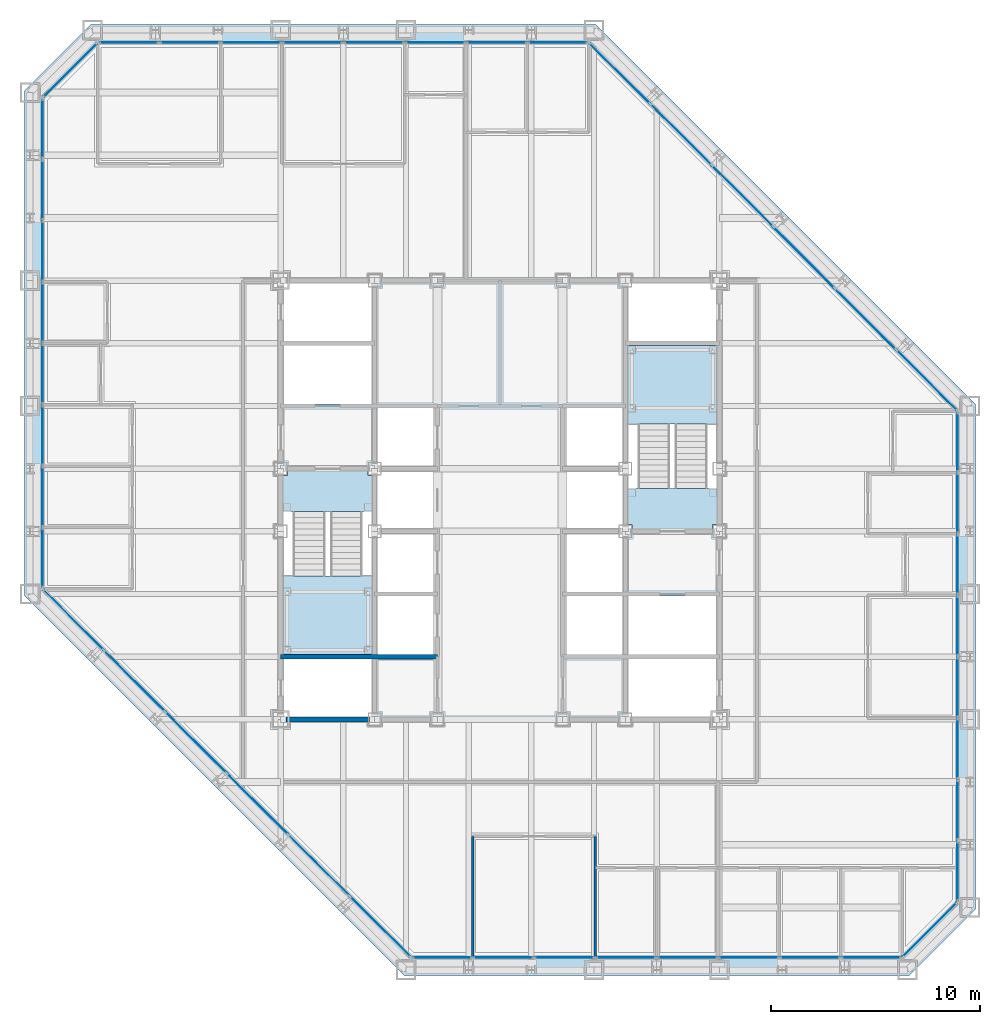
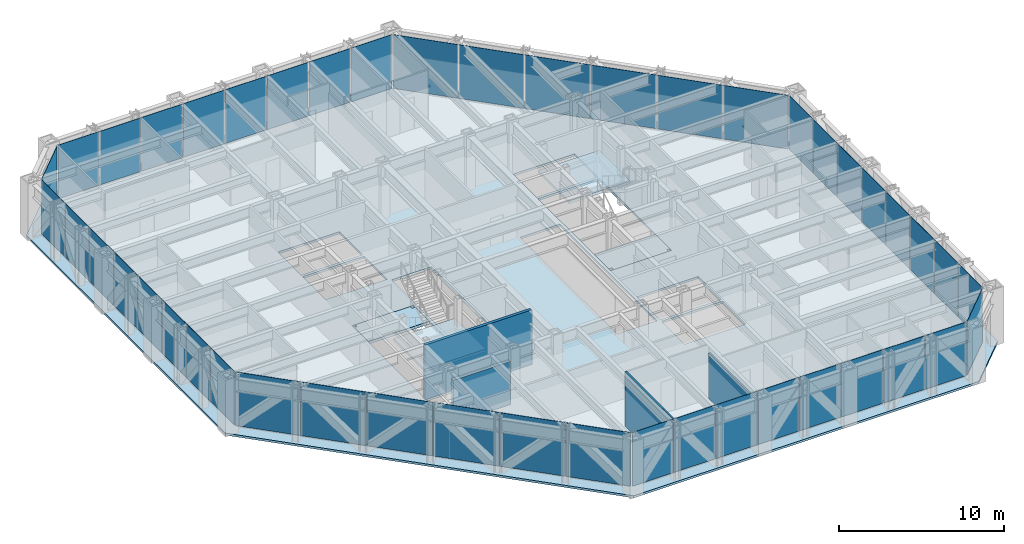
# One storey, part 9 of 16: 46 plates, 5 slabs, 4 walls, 10 elements without a shape of their own.
"""IFC4 building model written with IfcOpenShell, lengths in metres."""

from ifc_helpers import new_model, si_unit, direction, frame, frame_2d, origin, origin_2d, place, context, subcontext, project, spatial, polyline, rectangle, outline, extrude, material, layer, layer_set, type_object, element, aggregate, save


model = new_model("IFC4")

# Units and contexts
model_context = context("Model", 3, precision=1e-05, world=origin(), true_north=direction((0.0, 1.0)))
body_context = subcontext(model_context, "Body", "Model", "MODEL_VIEW")
ifc_project = project(units=[si_unit("LENGTHUNIT", "METRE"), si_unit("AREAUNIT", "SQUARE_METRE"), si_unit("VOLUMEUNIT", "CUBIC_METRE"), si_unit("PLANEANGLEUNIT", "RADIAN"), si_unit("MASSUNIT", "GRAM", prefix="KILO")], contexts=[model_context])

# Site, building, storey
site_placement = place(None, origin())
site = spatial("IfcSite", under=ifc_project, at=site_placement, CompositionType="ELEMENT")
building_placement = place(site_placement, origin())
building = spatial("IfcBuilding", under=site, at=building_placement, Name="Chuquiago Exchange Tower", CompositionType="ELEMENT")
storey_placement = place(building_placement, frame((0.0, 0.0, 161.39990234375)))
storey = spatial("IfcBuildingStorey", under=building, at=storey_placement, Name="L35", CompositionType="ELEMENT", Elevation=161.39990234375)

# Curtain wall, plates
ifc_material_1 = material(Name="Aluminium curtain wall system", Category="aluminium")
ifc_layer_1 = layer(ifc_material_1, 0.22509765625)
ifc_layer_set_1 = layer_set([ifc_layer_1], Name="CW2 office curtain wall")
curtain_wall_type_1 = type_object("IfcCurtainWallType", Name="CW2 office curtain wall", PredefinedType="NOTDEFINED", material=ifc_layer_set_1)
curtain_wall_1_placement = place(storey_placement, origin())
curtain_wall_1 = element("IfcCurtainWall", 1, at=curtain_wall_1_placement, inside=storey, type_object=curtain_wall_type_1, Name="CW2 curtain wall L35", PredefinedType="NOTDEFINED")
ifc_material_2 = material(Name="Glass, insulating unit", Category="glass")
ifc_layer_2 = layer(ifc_material_2, 0.030029296875)
ifc_layer_set_2 = layer_set([ifc_layer_2], Name="CW2-P panel 30")
plate_type_1 = type_object("IfcPlateType", Name="CW2-P panel 30", PredefinedType="CURTAIN_PANEL", material=ifc_layer_set_2)
plate_1_placement = place(storey_placement, frame((25.59326171875, 0.60009765625, 0.06494140625), z_axis=(0.0, 0.0, 1.0), x_axis=(1.0, 0.0, 0.0)))
plate_1 = element("IfcPlate", 2, at=plate_1_placement, type_object=plate_type_1, Name="CW2 panel 3.1", PredefinedType="CURTAIN_PANEL", context=body_context, shape_type="SweptSolid", body=[
    extrude(rectangle(XDim=2.872802734375, YDim=0.030029296875, at=origin_2d()), origin(), (0.0, 0.0, 1.0), 3.97509765625),
])
plate_2_placement = place(storey_placement, frame((34.40673828125, 0.60009765625, 0.06494140625), z_axis=(0.0, 0.0, 1.0), x_axis=(1.0, 0.0, 0.0)))
plate_2 = element("IfcPlate", 3, at=plate_2_placement, type_object=plate_type_1, Name="CW2 panel 6.1", PredefinedType="CURTAIN_PANEL", context=body_context, shape_type="SweptSolid", body=[
    extrude(rectangle(XDim=2.872802734375, YDim=0.030029296875, at=origin_2d()), origin(), (0.0, 0.0, 1.0), 3.97509765625),
])

curtain_wall_2_placement = place(storey_placement, origin())
curtain_wall_2 = element("IfcCurtainWall", 4, at=curtain_wall_2_placement, inside=storey, type_object=curtain_wall_type_1, Name="CW2 curtain wall L35", PredefinedType="NOTDEFINED")
plate_3_placement = place(storey_placement, frame((44.39990234375, 10.59326171875, 0.06494140625), z_axis=(0.0, 0.0, 1.0), x_axis=(0.0, 1.0, 0.0)))
plate_3 = element("IfcPlate", 5, at=plate_3_placement, type_object=plate_type_1, Name="CW2 panel 3.1", PredefinedType="CURTAIN_PANEL", context=body_context, shape_type="SweptSolid", body=[
    extrude(rectangle(XDim=2.872802734375, YDim=0.030029296875, at=origin_2d()), origin(), (0.0, 0.0, 1.0), 3.97509765625),
])
plate_4_placement = place(storey_placement, frame((44.39990234375, 19.40673828125, 0.06494140625), z_axis=(0.0, 0.0, 1.0), x_axis=(0.0, 1.0, 0.0)))
plate_4 = element("IfcPlate", 6, at=plate_4_placement, type_object=plate_type_1, Name="CW2 panel 6.1", PredefinedType="CURTAIN_PANEL", context=body_context, shape_type="SweptSolid", body=[
    extrude(rectangle(XDim=2.872802734375, YDim=0.030029296875, at=origin_2d()), origin(), (0.0, 0.0, 1.0), 3.97509765625),
])

curtain_wall_3_placement = place(storey_placement, origin())
curtain_wall_3 = element("IfcCurtainWall", 7, at=curtain_wall_3_placement, inside=storey, type_object=curtain_wall_type_1, Name="CW2 curtain wall L35", PredefinedType="NOTDEFINED")
plate_5_placement = place(storey_placement, frame((19.40673828125, 44.39990234375, 0.06494140625), z_axis=(0.0, 0.0, 1.0), x_axis=(-1.0, 0.0, 0.0)))
plate_5 = element("IfcPlate", 8, at=plate_5_placement, type_object=plate_type_1, Name="CW2 panel 3.1", PredefinedType="CURTAIN_PANEL", context=body_context, shape_type="SweptSolid", body=[
    extrude(rectangle(XDim=2.872802734375, YDim=0.030029296875, at=origin_2d()), origin(), (0.0, 0.0, 1.0), 3.97509765625),
])
plate_6_placement = place(storey_placement, frame((10.59326171875, 44.39990234375, 0.06494140625), z_axis=(0.0, 0.0, 1.0), x_axis=(-1.0, 0.0, 0.0)))
plate_6 = element("IfcPlate", 9, at=plate_6_placement, type_object=plate_type_1, Name="CW2 panel 6.1", PredefinedType="CURTAIN_PANEL", context=body_context, shape_type="SweptSolid", body=[
    extrude(rectangle(XDim=2.872802734375, YDim=0.030029296875, at=origin_2d()), origin(), (0.0, 0.0, 1.0), 3.97509765625),
])

curtain_wall_4_placement = place(storey_placement, origin())
curtain_wall_4 = element("IfcCurtainWall", 10, at=curtain_wall_4_placement, inside=storey, type_object=curtain_wall_type_1, Name="CW2 curtain wall L35", PredefinedType="NOTDEFINED")
plate_7_placement = place(storey_placement, frame((0.60009765625, 34.40673828125, 0.06494140625), z_axis=(0.0, 0.0, 1.0), x_axis=(0.0, -1.0, 0.0)))
plate_7 = element("IfcPlate", 11, at=plate_7_placement, type_object=plate_type_1, Name="CW2 panel 3.1", PredefinedType="CURTAIN_PANEL", context=body_context, shape_type="SweptSolid", body=[
    extrude(rectangle(XDim=2.872802734375, YDim=0.030029296875, at=origin_2d()), origin(), (0.0, 0.0, 1.0), 3.97509765625),
])
plate_8_placement = place(storey_placement, frame((0.60009765625, 25.59326171875, 0.06494140625), z_axis=(0.0, 0.0, 1.0), x_axis=(0.0, -1.0, 0.0)))
plate_8 = element("IfcPlate", 12, at=plate_8_placement, type_object=plate_type_1, Name="CW2 panel 6.1", PredefinedType="CURTAIN_PANEL", context=body_context, shape_type="SweptSolid", body=[
    extrude(rectangle(XDim=2.872802734375, YDim=0.030029296875, at=origin_2d()), origin(), (0.0, 0.0, 1.0), 3.97509765625),
])

# Plate
ifc_material_3 = material(Name="Insulated spandrel panel, pale anodised aluminium", Category="aluminium")
ifc_layer_3 = layer(ifc_material_3, 0.030029296875)
ifc_layer_set_3 = layer_set([ifc_layer_3], Name="CW2-P spandrel panel 30")
plate_type_2 = type_object("IfcPlateType", Name="CW2-P spandrel panel 30", PredefinedType="CURTAIN_PANEL", material=ifc_layer_set_3)
plate_9_placement = place(storey_placement, frame((19.733642578125, 0.60009765625, 0.06494140625), z_axis=(0.0, 0.0, 1.0), x_axis=(1.0, 0.0, 0.0)))
plate_9 = element("IfcPlate", 13, at=plate_9_placement, type_object=plate_type_2, Name="CW2 panel 1.1", PredefinedType="CURTAIN_PANEL", context=body_context, shape_type="SweptSolid", body=[
    extrude(rectangle(XDim=2.84033203125, YDim=0.030029296875, at=origin_2d()), origin(), (0.0, 0.0, 1.0), 3.97509765625),
])

plate_10_placement = place(storey_placement, frame((22.6552734375, 0.60009765625, 0.06494140625), z_axis=(0.0, 0.0, 1.0), x_axis=(1.0, 0.0, 0.0)))
plate_10 = element("IfcPlate", 14, at=plate_10_placement, type_object=plate_type_2, Name="CW2 panel 2.1", PredefinedType="CURTAIN_PANEL", context=body_context, shape_type="SweptSolid", body=[
    extrude(rectangle(XDim=2.872802734375, YDim=0.030029296875, at=origin_2d()), origin(), (0.0, 0.0, 1.0), 3.97509765625),
])

plate_11_placement = place(storey_placement, frame((28.531005859375, 0.60009765625, 0.06494140625), z_axis=(0.0, 0.0, 1.0), x_axis=(1.0, 0.0, 0.0)))
plate_11 = element("IfcPlate", 15, at=plate_11_placement, type_object=plate_type_2, Name="CW2 panel 4.1", PredefinedType="CURTAIN_PANEL", context=body_context, shape_type="SweptSolid", body=[
    extrude(rectangle(XDim=2.872802734375, YDim=0.030029296875, at=origin_2d()), origin(), (0.0, 0.0, 1.0), 3.97509765625),
])

plate_12_placement = place(storey_placement, frame((31.468994140625, 0.60009765625, 0.06494140625), z_axis=(0.0, 0.0, 1.0), x_axis=(1.0, 0.0, 0.0)))
plate_12 = element("IfcPlate", 16, at=plate_12_placement, type_object=plate_type_2, Name="CW2 panel 5.1", PredefinedType="CURTAIN_PANEL", context=body_context, shape_type="SweptSolid", body=[
    extrude(rectangle(XDim=2.872802734375, YDim=0.030029296875, at=origin_2d()), origin(), (0.0, 0.0, 1.0), 3.97509765625),
])

plate_13_placement = place(storey_placement, frame((37.3447265625, 0.60009765625, 0.06494140625), z_axis=(0.0, 0.0, 1.0), x_axis=(1.0, 0.0, 0.0)))
plate_13 = element("IfcPlate", 17, at=plate_13_placement, type_object=plate_type_2, Name="CW2 panel 7.1", PredefinedType="CURTAIN_PANEL", context=body_context, shape_type="SweptSolid", body=[
    extrude(rectangle(XDim=2.872802734375, YDim=0.030029296875, at=origin_2d()), origin(), (0.0, 0.0, 1.0), 3.97509765625),
])

plate_14_placement = place(storey_placement, frame((40.266357421875, 0.60009765625, 0.06494140625), z_axis=(0.0, 0.0, 1.0), x_axis=(1.0, 0.0, 0.0)))
plate_14 = element("IfcPlate", 18, at=plate_14_placement, type_object=plate_type_2, Name="CW2 panel 8.1", PredefinedType="CURTAIN_PANEL", context=body_context, shape_type="SweptSolid", body=[
    extrude(rectangle(XDim=2.84033203125, YDim=0.030029296875, at=origin_2d()), origin(), (0.0, 0.0, 1.0), 3.97509765625),
])

aggregate(curtain_wall_1, [plate_9, plate_10, plate_1, plate_11, plate_12, plate_2, plate_13, plate_14])

plate_15_placement = place(storey_placement, frame((44.39990234375, 4.733642578125, 0.06494140625), z_axis=(0.0, 0.0, 1.0), x_axis=(0.0, 1.0, 0.0)))
plate_15 = element("IfcPlate", 19, at=plate_15_placement, type_object=plate_type_2, Name="CW2 panel 1.1", PredefinedType="CURTAIN_PANEL", context=body_context, shape_type="SweptSolid", body=[
    extrude(rectangle(XDim=2.84033203125, YDim=0.030029296875, at=origin_2d()), origin(), (0.0, 0.0, 1.0), 3.97509765625),
])

plate_16_placement = place(storey_placement, frame((44.39990234375, 7.6552734375, 0.06494140625), z_axis=(0.0, 0.0, 1.0), x_axis=(0.0, 1.0, 0.0)))
plate_16 = element("IfcPlate", 20, at=plate_16_placement, type_object=plate_type_2, Name="CW2 panel 2.1", PredefinedType="CURTAIN_PANEL", context=body_context, shape_type="SweptSolid", body=[
    extrude(rectangle(XDim=2.872802734375, YDim=0.030029296875, at=origin_2d()), origin(), (0.0, 0.0, 1.0), 3.97509765625),
])

plate_17_placement = place(storey_placement, frame((44.39990234375, 13.531005859375, 0.06494140625), z_axis=(0.0, 0.0, 1.0), x_axis=(0.0, 1.0, 0.0)))
plate_17 = element("IfcPlate", 21, at=plate_17_placement, type_object=plate_type_2, Name="CW2 panel 4.1", PredefinedType="CURTAIN_PANEL", context=body_context, shape_type="SweptSolid", body=[
    extrude(rectangle(XDim=2.872802734375, YDim=0.030029296875, at=origin_2d()), origin(), (0.0, 0.0, 1.0), 3.97509765625),
])

plate_18_placement = place(storey_placement, frame((44.39990234375, 16.468994140625, 0.06494140625), z_axis=(0.0, 0.0, 1.0), x_axis=(0.0, 1.0, 0.0)))
plate_18 = element("IfcPlate", 22, at=plate_18_placement, type_object=plate_type_2, Name="CW2 panel 5.1", PredefinedType="CURTAIN_PANEL", context=body_context, shape_type="SweptSolid", body=[
    extrude(rectangle(XDim=2.872802734375, YDim=0.030029296875, at=origin_2d()), origin(), (0.0, 0.0, 1.0), 3.97509765625),
])

plate_19_placement = place(storey_placement, frame((44.39990234375, 22.3447265625, 0.06494140625), z_axis=(0.0, 0.0, 1.0), x_axis=(0.0, 1.0, 0.0)))
plate_19 = element("IfcPlate", 23, at=plate_19_placement, type_object=plate_type_2, Name="CW2 panel 7.1", PredefinedType="CURTAIN_PANEL", context=body_context, shape_type="SweptSolid", body=[
    extrude(rectangle(XDim=2.872802734375, YDim=0.030029296875, at=origin_2d()), origin(), (0.0, 0.0, 1.0), 3.97509765625),
])

plate_20_placement = place(storey_placement, frame((44.39990234375, 25.266357421875, 0.06494140625), z_axis=(0.0, 0.0, 1.0), x_axis=(0.0, 1.0, 0.0)))
plate_20 = element("IfcPlate", 24, at=plate_20_placement, type_object=plate_type_2, Name="CW2 panel 8.1", PredefinedType="CURTAIN_PANEL", context=body_context, shape_type="SweptSolid", body=[
    extrude(rectangle(XDim=2.84033203125, YDim=0.030029296875, at=origin_2d()), origin(), (0.0, 0.0, 1.0), 3.97509765625),
])

aggregate(curtain_wall_2, [plate_15, plate_16, plate_3, plate_17, plate_18, plate_4, plate_19, plate_20])

plate_21_placement = place(storey_placement, frame((25.266357421875, 44.39990234375, 0.06494140625), z_axis=(0.0, 0.0, 1.0), x_axis=(-1.0, 0.0, 0.0)))
plate_21 = element("IfcPlate", 25, at=plate_21_placement, type_object=plate_type_2, Name="CW2 panel 1.1", PredefinedType="CURTAIN_PANEL", context=body_context, shape_type="SweptSolid", body=[
    extrude(rectangle(XDim=2.84033203125, YDim=0.030029296875, at=origin_2d()), origin(), (0.0, 0.0, 1.0), 3.97509765625),
])

plate_22_placement = place(storey_placement, frame((22.3447265625, 44.39990234375, 0.06494140625), z_axis=(0.0, 0.0, 1.0), x_axis=(-1.0, 0.0, 0.0)))
plate_22 = element("IfcPlate", 26, at=plate_22_placement, type_object=plate_type_2, Name="CW2 panel 2.1", PredefinedType="CURTAIN_PANEL", context=body_context, shape_type="SweptSolid", body=[
    extrude(rectangle(XDim=2.872802734375, YDim=0.030029296875, at=origin_2d()), origin(), (0.0, 0.0, 1.0), 3.97509765625),
])

plate_23_placement = place(storey_placement, frame((16.468994140625, 44.39990234375, 0.06494140625), z_axis=(0.0, 0.0, 1.0), x_axis=(-1.0, 0.0, 0.0)))
plate_23 = element("IfcPlate", 27, at=plate_23_placement, type_object=plate_type_2, Name="CW2 panel 4.1", PredefinedType="CURTAIN_PANEL", context=body_context, shape_type="SweptSolid", body=[
    extrude(rectangle(XDim=2.872802734375, YDim=0.030029296875, at=origin_2d()), origin(), (0.0, 0.0, 1.0), 3.97509765625),
])

plate_24_placement = place(storey_placement, frame((13.531005859375, 44.39990234375, 0.06494140625), z_axis=(0.0, 0.0, 1.0), x_axis=(-1.0, 0.0, 0.0)))
plate_24 = element("IfcPlate", 28, at=plate_24_placement, type_object=plate_type_2, Name="CW2 panel 5.1", PredefinedType="CURTAIN_PANEL", context=body_context, shape_type="SweptSolid", body=[
    extrude(rectangle(XDim=2.872802734375, YDim=0.030029296875, at=origin_2d()), origin(), (0.0, 0.0, 1.0), 3.97509765625),
])

plate_25_placement = place(storey_placement, frame((7.6552734375, 44.39990234375, 0.06494140625), z_axis=(0.0, 0.0, 1.0), x_axis=(-1.0, 0.0, 0.0)))
plate_25 = element("IfcPlate", 29, at=plate_25_placement, type_object=plate_type_2, Name="CW2 panel 7.1", PredefinedType="CURTAIN_PANEL", context=body_context, shape_type="SweptSolid", body=[
    extrude(rectangle(XDim=2.872802734375, YDim=0.030029296875, at=origin_2d()), origin(), (0.0, 0.0, 1.0), 3.97509765625),
])

plate_26_placement = place(storey_placement, frame((4.733642578125, 44.39990234375, 0.06494140625), z_axis=(0.0, 0.0, 1.0), x_axis=(-1.0, 0.0, 0.0)))
plate_26 = element("IfcPlate", 30, at=plate_26_placement, type_object=plate_type_2, Name="CW2 panel 8.1", PredefinedType="CURTAIN_PANEL", context=body_context, shape_type="SweptSolid", body=[
    extrude(rectangle(XDim=2.84033203125, YDim=0.030029296875, at=origin_2d()), origin(), (0.0, 0.0, 1.0), 3.97509765625),
])

aggregate(curtain_wall_3, [plate_21, plate_22, plate_5, plate_23, plate_24, plate_6, plate_25, plate_26])

plate_27_placement = place(storey_placement, frame((0.60009765625, 40.266357421875, 0.06494140625), z_axis=(0.0, 0.0, 1.0), x_axis=(0.0, -1.0, 0.0)))
plate_27 = element("IfcPlate", 31, at=plate_27_placement, type_object=plate_type_2, Name="CW2 panel 1.1", PredefinedType="CURTAIN_PANEL", context=body_context, shape_type="SweptSolid", body=[
    extrude(rectangle(XDim=2.84033203125, YDim=0.030029296875, at=origin_2d()), origin(), (0.0, 0.0, 1.0), 3.97509765625),
])

plate_28_placement = place(storey_placement, frame((0.60009765625, 37.3447265625, 0.06494140625), z_axis=(0.0, 0.0, 1.0), x_axis=(0.0, -1.0, 0.0)))
plate_28 = element("IfcPlate", 32, at=plate_28_placement, type_object=plate_type_2, Name="CW2 panel 2.1", PredefinedType="CURTAIN_PANEL", context=body_context, shape_type="SweptSolid", body=[
    extrude(rectangle(XDim=2.872802734375, YDim=0.030029296875, at=origin_2d()), origin(), (0.0, 0.0, 1.0), 3.97509765625),
])

plate_29_placement = place(storey_placement, frame((0.60009765625, 31.468994140625, 0.06494140625), z_axis=(0.0, 0.0, 1.0), x_axis=(0.0, -1.0, 0.0)))
plate_29 = element("IfcPlate", 33, at=plate_29_placement, type_object=plate_type_2, Name="CW2 panel 4.1", PredefinedType="CURTAIN_PANEL", context=body_context, shape_type="SweptSolid", body=[
    extrude(rectangle(XDim=2.872802734375, YDim=0.030029296875, at=origin_2d()), origin(), (0.0, 0.0, 1.0), 3.97509765625),
])

plate_30_placement = place(storey_placement, frame((0.60009765625, 28.531005859375, 0.06494140625), z_axis=(0.0, 0.0, 1.0), x_axis=(0.0, -1.0, 0.0)))
plate_30 = element("IfcPlate", 34, at=plate_30_placement, type_object=plate_type_2, Name="CW2 panel 5.1", PredefinedType="CURTAIN_PANEL", context=body_context, shape_type="SweptSolid", body=[
    extrude(rectangle(XDim=2.872802734375, YDim=0.030029296875, at=origin_2d()), origin(), (0.0, 0.0, 1.0), 3.97509765625),
])

plate_31_placement = place(storey_placement, frame((0.60009765625, 22.6552734375, 0.06494140625), z_axis=(0.0, 0.0, 1.0), x_axis=(0.0, -1.0, 0.0)))
plate_31 = element("IfcPlate", 35, at=plate_31_placement, type_object=plate_type_2, Name="CW2 panel 7.1", PredefinedType="CURTAIN_PANEL", context=body_context, shape_type="SweptSolid", body=[
    extrude(rectangle(XDim=2.872802734375, YDim=0.030029296875, at=origin_2d()), origin(), (0.0, 0.0, 1.0), 3.97509765625),
])

plate_32_placement = place(storey_placement, frame((0.60009765625, 19.733642578125, 0.06494140625), z_axis=(0.0, 0.0, 1.0), x_axis=(0.0, -1.0, 0.0)))
plate_32 = element("IfcPlate", 36, at=plate_32_placement, type_object=plate_type_2, Name="CW2 panel 8.1", PredefinedType="CURTAIN_PANEL", context=body_context, shape_type="SweptSolid", body=[
    extrude(rectangle(XDim=2.84033203125, YDim=0.030029296875, at=origin_2d()), origin(), (0.0, 0.0, 1.0), 3.97509765625),
])

aggregate(curtain_wall_4, [plate_27, plate_28, plate_7, plate_29, plate_30, plate_8, plate_31, plate_32])

# Curtain wall, plate
ifc_material_4 = material(Name="Aluminium curtain wall system", Category="aluminium")
ifc_layer_4 = layer(ifc_material_4, 0.199951171875)
ifc_layer_set_4 = layer_set([ifc_layer_4], Name="CW3 facet curtain wall")
curtain_wall_type_2 = type_object("IfcCurtainWallType", Name="CW3 facet curtain wall", PredefinedType="NOTDEFINED", material=ifc_layer_set_4)
curtain_wall_5_placement = place(storey_placement, origin())
curtain_wall_5 = element("IfcCurtainWall", 37, at=curtain_wall_5_placement, inside=storey, type_object=curtain_wall_type_2, Name="CW3 curtain wall L35", PredefinedType="NOTDEFINED")
ifc_material_5 = material(Name="Insulated spandrel panel, pale anodised aluminium", Category="aluminium")
ifc_layer_5 = layer(ifc_material_5, 0.030029296875)
ifc_layer_set_5 = layer_set([ifc_layer_5], Name="CW3-P spandrel panel 30")
plate_type_3 = type_object("IfcPlateType", Name="CW3-P spandrel panel 30", PredefinedType="CURTAIN_PANEL", material=ifc_layer_set_5)
plate_33_placement = place(storey_placement, frame((43.07568359375, 1.92431640625, 0.06494140625), z_axis=(0.0, 0.0, 1.0), x_axis=(0.707106781187, 0.707106781187, 0.0)))
plate_33 = element("IfcPlate", 38, at=plate_33_placement, type_object=plate_type_3, Name="CW3 panel 1.1", PredefinedType="CURTAIN_PANEL", context=body_context, shape_type="SweptSolid", body=[
    extrude(rectangle(XDim=3.615478515625, YDim=0.030029296875, at=origin_2d()), origin(), (0.0, 0.0, 1.0), 3.97509765625),
])
aggregate(curtain_wall_5, [plate_33])

# Curtain wall, plates
curtain_wall_6_placement = place(storey_placement, origin())
curtain_wall_6 = element("IfcCurtainWall", 39, at=curtain_wall_6_placement, inside=storey, type_object=curtain_wall_type_2, Name="CW3 curtain wall L35", PredefinedType="NOTDEFINED")
plate_34_placement = place(storey_placement, frame((42.917724609375, 28.233642578125, 0.06494140625), z_axis=(0.0, 0.0, 1.0), x_axis=(-0.707106781187, 0.707106781187, 0.0)))
plate_34 = element("IfcPlate", 40, at=plate_34_placement, type_object=plate_type_3, Name="CW3 panel 1.1", PredefinedType="CURTAIN_PANEL", context=body_context, shape_type="SweptSolid", body=[
    extrude(rectangle(XDim=4.062255859375, YDim=0.030029296875, at=origin_2d()), origin(), (0.0, 0.0, 1.0), 3.97509765625),
])
plate_35_placement = place(storey_placement, frame((39.98779296875, 31.16357421875, 0.06494140625), z_axis=(0.0, 0.0, 1.0), x_axis=(-0.707106781187, 0.707106781187, 0.0)))
plate_35 = element("IfcPlate", 41, at=plate_35_placement, type_object=plate_type_3, Name="CW3 panel 2.1", PredefinedType="CURTAIN_PANEL", context=body_context, shape_type="SweptSolid", body=[
    extrude(rectangle(XDim=4.0947265625, YDim=0.030029296875, at=origin_2d()), origin(), (0.0, 0.0, 1.0), 3.97509765625),
])
plate_36_placement = place(storey_placement, frame((37.04638671875, 34.10498046875, 0.06494140625), z_axis=(0.0, 0.0, 1.0), x_axis=(-0.707106781187, 0.707106781187, 0.0)))
plate_36 = element("IfcPlate", 42, at=plate_36_placement, type_object=plate_type_3, Name="CW3 panel 3.1", PredefinedType="CURTAIN_PANEL", context=body_context, shape_type="SweptSolid", body=[
    extrude(rectangle(XDim=4.0947265625, YDim=0.030029296875, at=origin_2d()), origin(), (0.0, 0.0, 1.0), 3.97509765625),
])
plate_37_placement = place(storey_placement, frame((34.10498046875, 37.04638671875, 0.06494140625), z_axis=(0.0, 0.0, 1.0), x_axis=(-0.707106781187, 0.707106781187, 0.0)))
plate_37 = element("IfcPlate", 43, at=plate_37_placement, type_object=plate_type_3, Name="CW3 panel 4.1", PredefinedType="CURTAIN_PANEL", context=body_context, shape_type="SweptSolid", body=[
    extrude(rectangle(XDim=4.0947265625, YDim=0.030029296875, at=origin_2d()), origin(), (0.0, 0.0, 1.0), 3.97509765625),
])
plate_38_placement = place(storey_placement, frame((31.16357421875, 39.98779296875, 0.06494140625), z_axis=(0.0, 0.0, 1.0), x_axis=(-0.707106781187, 0.707106781187, 0.0)))
plate_38 = element("IfcPlate", 44, at=plate_38_placement, type_object=plate_type_3, Name="CW3 panel 5.1", PredefinedType="CURTAIN_PANEL", context=body_context, shape_type="SweptSolid", body=[
    extrude(rectangle(XDim=4.0947265625, YDim=0.030029296875, at=origin_2d()), origin(), (0.0, 0.0, 1.0), 3.97509765625),
])
plate_39_placement = place(storey_placement, frame((28.233642578125, 42.917724609375, 0.06494140625), z_axis=(0.0, 0.0, 1.0), x_axis=(-0.707106781187, 0.707106781187, 0.0)))
plate_39 = element("IfcPlate", 45, at=plate_39_placement, type_object=plate_type_3, Name="CW3 panel 6.1", PredefinedType="CURTAIN_PANEL", context=body_context, shape_type="SweptSolid", body=[
    extrude(rectangle(XDim=4.062255859375, YDim=0.030029296875, at=origin_2d()), origin(), (0.0, 0.0, 1.0), 3.97509765625),
])
aggregate(curtain_wall_6, [plate_34, plate_35, plate_36, plate_37, plate_38, plate_39])

# Curtain wall, plate
curtain_wall_7_placement = place(storey_placement, origin())
curtain_wall_7 = element("IfcCurtainWall", 46, at=curtain_wall_7_placement, inside=storey, type_object=curtain_wall_type_2, Name="CW3 curtain wall L35", PredefinedType="NOTDEFINED")
plate_40_placement = place(storey_placement, frame((1.92431640625, 43.07568359375, 0.06494140625), z_axis=(0.0, 0.0, 1.0), x_axis=(-0.707106781187, -0.707106781187, 0.0)))
plate_40 = element("IfcPlate", 47, at=plate_40_placement, type_object=plate_type_3, Name="CW3 panel 1.1", PredefinedType="CURTAIN_PANEL", context=body_context, shape_type="SweptSolid", body=[
    extrude(rectangle(XDim=3.615478515625, YDim=0.030029296875, at=origin_2d()), origin(), (0.0, 0.0, 1.0), 3.97509765625),
])
aggregate(curtain_wall_7, [plate_40])

# Curtain wall, plates
curtain_wall_8_placement = place(storey_placement, origin())
curtain_wall_8 = element("IfcCurtainWall", 48, at=curtain_wall_8_placement, inside=storey, type_object=curtain_wall_type_2, Name="CW3 curtain wall L35", PredefinedType="NOTDEFINED")
plate_41_placement = place(storey_placement, frame((2.082275390625, 16.766357421875, 0.06494140625), z_axis=(0.0, 0.0, 1.0), x_axis=(0.707106781187, -0.707106781187, 0.0)))
plate_41 = element("IfcPlate", 49, at=plate_41_placement, type_object=plate_type_3, Name="CW3 panel 1.1", PredefinedType="CURTAIN_PANEL", context=body_context, shape_type="SweptSolid", body=[
    extrude(rectangle(XDim=4.062255859375, YDim=0.030029296875, at=origin_2d()), origin(), (0.0, 0.0, 1.0), 3.97509765625),
])
plate_42_placement = place(storey_placement, frame((5.01220703125, 13.83642578125, 0.06494140625), z_axis=(0.0, 0.0, 1.0), x_axis=(0.707106781187, -0.707106781187, 0.0)))
plate_42 = element("IfcPlate", 50, at=plate_42_placement, type_object=plate_type_3, Name="CW3 panel 2.1", PredefinedType="CURTAIN_PANEL", context=body_context, shape_type="SweptSolid", body=[
    extrude(rectangle(XDim=4.0947265625, YDim=0.030029296875, at=origin_2d()), origin(), (0.0, 0.0, 1.0), 3.97509765625),
])
plate_43_placement = place(storey_placement, frame((7.95361328125, 10.89501953125, 0.06494140625), z_axis=(0.0, 0.0, 1.0), x_axis=(0.707106781187, -0.707106781187, 0.0)))
plate_43 = element("IfcPlate", 51, at=plate_43_placement, type_object=plate_type_3, Name="CW3 panel 3.1", PredefinedType="CURTAIN_PANEL", context=body_context, shape_type="SweptSolid", body=[
    extrude(rectangle(XDim=4.0947265625, YDim=0.030029296875, at=origin_2d()), origin(), (0.0, 0.0, 1.0), 3.97509765625),
])
plate_44_placement = place(storey_placement, frame((10.89501953125, 7.95361328125, 0.06494140625), z_axis=(0.0, 0.0, 1.0), x_axis=(0.707106781187, -0.707106781187, 0.0)))
plate_44 = element("IfcPlate", 52, at=plate_44_placement, type_object=plate_type_3, Name="CW3 panel 4.1", PredefinedType="CURTAIN_PANEL", context=body_context, shape_type="SweptSolid", body=[
    extrude(rectangle(XDim=4.0947265625, YDim=0.030029296875, at=origin_2d()), origin(), (0.0, 0.0, 1.0), 3.97509765625),
])
plate_45_placement = place(storey_placement, frame((13.83642578125, 5.01220703125, 0.06494140625), z_axis=(0.0, 0.0, 1.0), x_axis=(0.707106781187, -0.707106781187, 0.0)))
plate_45 = element("IfcPlate", 53, at=plate_45_placement, type_object=plate_type_3, Name="CW3 panel 5.1", PredefinedType="CURTAIN_PANEL", context=body_context, shape_type="SweptSolid", body=[
    extrude(rectangle(XDim=4.0947265625, YDim=0.030029296875, at=origin_2d()), origin(), (0.0, 0.0, 1.0), 3.97509765625),
])
plate_46_placement = place(storey_placement, frame((16.766357421875, 2.082275390625, 0.06494140625), z_axis=(0.0, 0.0, 1.0), x_axis=(0.707106781187, -0.707106781187, 0.0)))
plate_46 = element("IfcPlate", 54, at=plate_46_placement, type_object=plate_type_3, Name="CW3 panel 6.1", PredefinedType="CURTAIN_PANEL", context=body_context, shape_type="SweptSolid", body=[
    extrude(rectangle(XDim=4.062255859375, YDim=0.030029296875, at=origin_2d()), origin(), (0.0, 0.0, 1.0), 3.97509765625),
])
aggregate(curtain_wall_8, [plate_41, plate_42, plate_43, plate_44, plate_45, plate_46])

# Slab
ifc_material_6 = material(Name="Concrete C30/37", Category="concrete")
ifc_layer_6 = layer(ifc_material_6, 0.159912109375)
ifc_layer_set_6 = layer_set([ifc_layer_6], Name="FS1 composite floor 160")
slab_type_1 = type_object("IfcSlabType", Name="FS1 composite floor 160", PredefinedType="FLOOR", material=ifc_layer_set_6)
slab_1_placement = place(storey_placement, frame((0.0, 0.0, -0.159912109375)))
element("IfcSlab", 55, at=slab_1_placement, inside=storey, type_object=slab_type_1, Name="L35 floor slab", PredefinedType="FLOOR", context=body_context, shape_type="SweptSolid", body=[
    extrude(outline(polyline([(17.896484375, -0.25), (-0.25, 17.896484375), (-0.25, 42.103515625), (2.896484375, 45.25), (27.103515625, 45.25), (45.25, 27.103515625), (45.25, 2.896484375), (42.103515625, -0.25), (17.896484375, -0.25)]), holes=[polyline([(16.39990234375, 15.10009765625), (12.10009765625, 15.10009765625), (12.10009765625, 23.89990234375), (16.39990234375, 23.89990234375), (16.39990234375, 15.10009765625)]), polyline([(32.89990234375, 21.10009765625), (28.60009765625, 21.10009765625), (28.60009765625, 29.89990234375), (32.89990234375, 29.89990234375), (32.89990234375, 21.10009765625)]), polyline([(16.39990234375, 12.10009765625), (12.10009765625, 12.10009765625), (12.10009765625, 14.89990234375), (16.39990234375, 14.89990234375), (16.39990234375, 12.10009765625)]), polyline([(16.39990234375, 30.10009765625), (12.10009765625, 30.10009765625), (12.10009765625, 32.89990234375), (16.39990234375, 32.89990234375), (16.39990234375, 30.10009765625)]), polyline([(32.89990234375, 12.10009765625), (28.60009765625, 12.10009765625), (28.60009765625, 14.89990234375), (32.89990234375, 14.89990234375), (32.89990234375, 12.10009765625)]), polyline([(32.89990234375, 30.10009765625), (28.60009765625, 30.10009765625), (28.60009765625, 32.89990234375), (32.89990234375, 32.89990234375), (32.89990234375, 30.10009765625)]), polyline([(16.39990234375, 27.10009765625), (12.10009765625, 27.10009765625), (12.10009765625, 29.89990234375), (16.39990234375, 29.89990234375), (16.39990234375, 27.10009765625)]), polyline([(32.89990234375, 15.10009765625), (28.60009765625, 15.10009765625), (28.60009765625, 17.89990234375), (32.89990234375, 17.89990234375), (32.89990234375, 15.10009765625)]), polyline([(19.39990234375, 15.10009765625), (16.60009765625, 15.10009765625), (16.60009765625, 26.89990234375), (19.39990234375, 26.89990234375), (19.39990234375, 15.10009765625)]), polyline([(28.39990234375, 15.10009765625), (25.60009765625, 15.10009765625), (25.60009765625, 26.89990234375), (28.39990234375, 26.89990234375), (28.39990234375, 15.10009765625)])]), origin(), (0.0, 0.0, 1.0), 0.159912109375),
])

# Stair, slabs
ifc_material_7 = material(Name="Concrete C30/37, precast", Category="concrete")
stair_type_1 = type_object("IfcStairType", Name="ST1 half-turn stair 4200", PredefinedType="HALF_TURN_STAIR", material=ifc_material_7)
stair_1_placement = place(storey_placement, origin())
stair_1 = element("IfcStair", 56, at=stair_1_placement, inside=storey, type_object=stair_type_1, Name="Stair ST1 L35", PredefinedType="HALF_TURN_STAIR")
ifc_material_8 = material(Name="Concrete C30/37, precast", Category="concrete")
ifc_layer_7 = layer(ifc_material_8, 0.199951171875)
ifc_layer_set_7 = layer_set([ifc_layer_7], Name="ST-L landing 200")
slab_type_2 = type_object("IfcSlabType", Name="ST-L landing 200", PredefinedType="LANDING", material=ifc_layer_set_7)
slab_2_placement = place(storey_placement, frame((0.0, 0.0, -0.199951171875)))
slab_2 = element("IfcSlab", 57, at=slab_2_placement, type_object=slab_type_2, Name="ST1 landing 1", PredefinedType="LANDING", context=body_context, shape_type="SweptSolid", body=[
    extrude(outline(polyline([(12.324951171875, 23.89990234375), (16.175048828125, 23.89990234375), (16.175048828125, 23.675048828125), (16.39990234375, 23.675048828125), (16.39990234375, 21.949951171875), (12.10009765625, 21.949951171875), (12.10009765625, 23.675048828125), (12.324951171875, 23.675048828125), (12.324951171875, 23.89990234375)])), origin(), (0.0, 0.0, 1.0), 0.199951171875),
])
slab_3_placement = place(storey_placement, frame((0.0, 0.0, 1.900146484375)))
slab_3 = element("IfcSlab", 58, at=slab_3_placement, type_object=slab_type_2, Name="ST1 landing 2", PredefinedType="LANDING", context=body_context, shape_type="SweptSolid", body=[
    extrude(outline(polyline([(12.10009765625, 18.8701171875), (16.39990234375, 18.8701171875), (16.39990234375, 15.10009765625), (12.10009765625, 15.10009765625), (12.10009765625, 18.8701171875)])), origin(), (0.0, 0.0, 1.0), 0.199951171875),
])
aggregate(stair_1, [slab_2, slab_3])

ifc_material_9 = material(Name="Concrete C30/37, precast", Category="concrete")
stair_type_2 = type_object("IfcStairType", Name="ST2 half-turn stair 4200", PredefinedType="HALF_TURN_STAIR", material=ifc_material_9)
stair_2_placement = place(storey_placement, origin())
stair_2 = element("IfcStair", 59, at=stair_2_placement, inside=storey, type_object=stair_type_2, Name="Stair ST2 L35", PredefinedType="HALF_TURN_STAIR")
slab_4_placement = place(storey_placement, frame((0.0, 0.0, -0.199951171875)))
slab_4 = element("IfcSlab", 60, at=slab_4_placement, type_object=slab_type_2, Name="ST2 landing 1", PredefinedType="LANDING", context=body_context, shape_type="SweptSolid", body=[
    extrude(outline(polyline([(32.675048828125, 21.324951171875), (32.675048828125, 21.10009765625), (28.824951171875, 21.10009765625), (28.824951171875, 21.324951171875), (28.60009765625, 21.324951171875), (28.60009765625, 23.050048828125), (32.89990234375, 23.050048828125), (32.89990234375, 21.324951171875), (32.675048828125, 21.324951171875)])), origin(), (0.0, 0.0, 1.0), 0.199951171875),
])
slab_5_placement = place(storey_placement, frame((0.0, 0.0, 1.900146484375)))
slab_5 = element("IfcSlab", 61, at=slab_5_placement, type_object=slab_type_2, Name="ST2 landing 2", PredefinedType="LANDING", context=body_context, shape_type="SweptSolid", body=[
    extrude(outline(polyline([(28.60009765625, 29.89990234375), (32.89990234375, 29.89990234375), (32.89990234375, 26.1298828125), (28.60009765625, 26.1298828125), (28.60009765625, 29.89990234375)])), origin(), (0.0, 0.0, 1.0), 0.199951171875),
])
aggregate(stair_2, [slab_4, slab_5])

# Walls
ifc_material_10 = material(Name="Concrete masonry, fully grouted", Category="masonry")
ifc_layer_8 = layer(ifc_material_10, 0.25)
ifc_layer_set_8 = layer_set([ifc_layer_8], Name="W1 core wall 250")
wall_type_1 = type_object("IfcWallType", Name="W1 core wall 250", PredefinedType="SOLIDWALL", material=ifc_layer_set_8)
wall_1_placement = place(storey_placement, frame((12.25, 12.0, 0.0), z_axis=(0.0, 0.0, 1.0), x_axis=(1.0, 0.0, 0.0)))
element("IfcWall", 62, at=wall_1_placement, inside=storey, type_object=wall_type_1, Name="CW-L35-01-0", PredefinedType="SOLIDWALL", context=body_context, shape_type="SweptSolid", body=[
    extrude(rectangle(XDim=4.0, YDim=0.25, at=frame_2d((2.0, 0.0))), origin(), (0.0, 0.0, 1.0), 3.181640625),
])
ifc_material_11 = material(Name="Concrete masonry, fully grouted", Category="masonry")
ifc_layer_9 = layer(ifc_material_11, 0.199951171875)
ifc_layer_set_9 = layer_set([ifc_layer_9], Name="W2 shaft wall 200")
wall_type_2 = type_object("IfcWallType", Name="W2 shaft wall 200", PredefinedType="SOLIDWALL", material=ifc_layer_set_9)
wall_2_placement = place(storey_placement, frame((12.0, 15.0, 0.0), z_axis=(0.0, 0.0, 1.0), x_axis=(1.0, 0.0, 0.0)))
element("IfcWall", 63, at=wall_2_placement, inside=storey, type_object=wall_type_2, Name="CW-L35-03-0", PredefinedType="SOLIDWALL", context=body_context, shape_type="SweptSolid", body=[
    extrude(rectangle(XDim=7.5, YDim=0.199951171875, at=frame_2d((3.75, 0.0))), origin(), (0.0, 0.0, 1.0), 4.0400390625),
])
ifc_material_12 = material(Name="Gypsum board on steel studs", Category="steel")
ifc_layer_10 = layer(ifc_material_12, 0.1201171875)
ifc_layer_set_10 = layer_set([ifc_layer_10], Name="W4 partition 120")
wall_type_3 = type_object("IfcWallType", Name="W4 partition 120", PredefinedType="PARTITIONING", material=ifc_layer_set_10)
wall_3_placement = place(storey_placement, frame((21.186279296875, 0.652587890625, 0.0), z_axis=(0.0, 0.0, 1.0), x_axis=(0.0, 1.0, 0.0)))
element("IfcWall", 64, at=wall_3_placement, inside=storey, type_object=wall_type_3, Name="PW-L35-S02119", PredefinedType="PARTITIONING", context=body_context, shape_type="SweptSolid", body=[
    extrude(rectangle(XDim=5.747314453125, YDim=0.1201171875, at=frame_2d((2.87353515625, 0.0))), origin(), (0.0, 0.0, 1.0), 4.0400390625),
])
wall_4_placement = place(storey_placement, frame((27.06201171875, 0.652587890625, 0.0), z_axis=(0.0, 0.0, 1.0), x_axis=(0.0, 1.0, 0.0)))
element("IfcWall", 65, at=wall_4_placement, inside=storey, type_object=wall_type_3, Name="PW-L35-S02706", PredefinedType="PARTITIONING", context=body_context, shape_type="SweptSolid", body=[
    extrude(rectangle(XDim=5.747314453125, YDim=0.1201171875, at=frame_2d((2.87353515625, 0.0))), origin(), (0.0, 0.0, 1.0), 3.35693359375),
])

save(model, "model.ifc")
